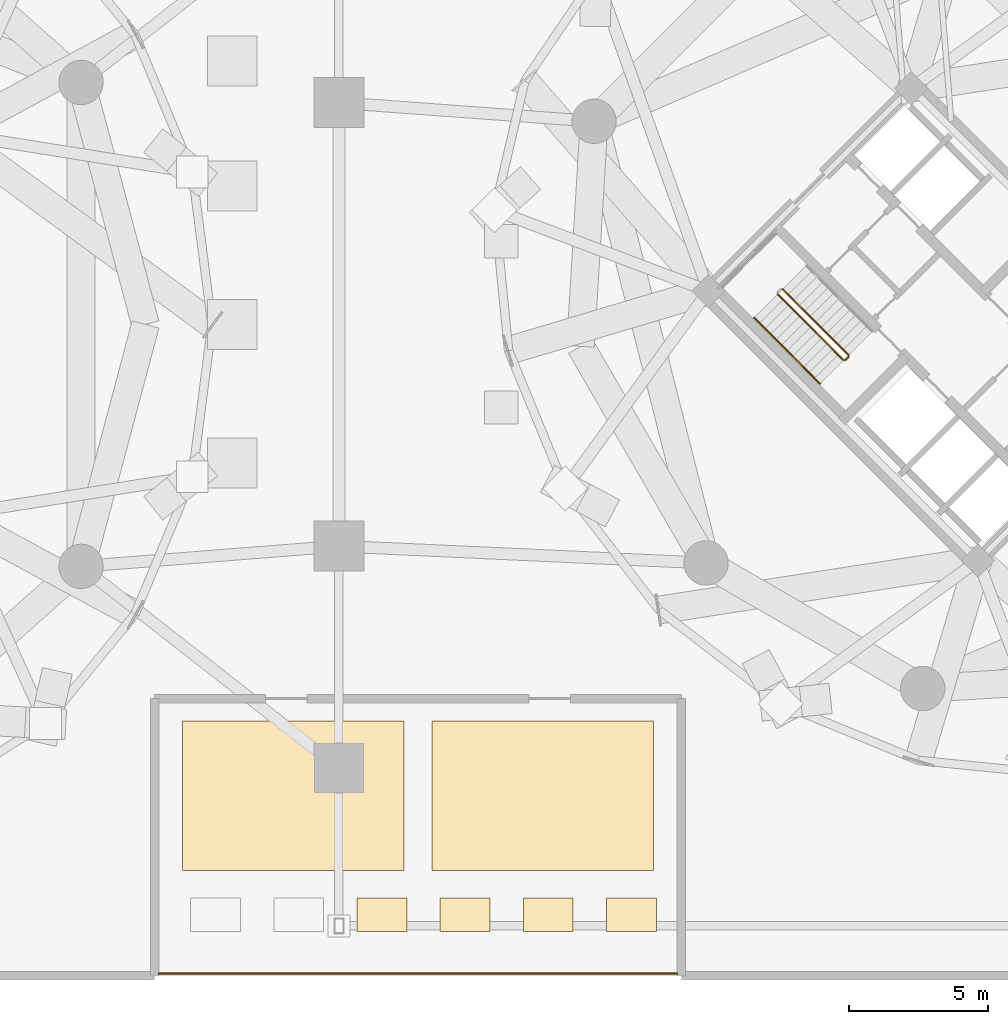
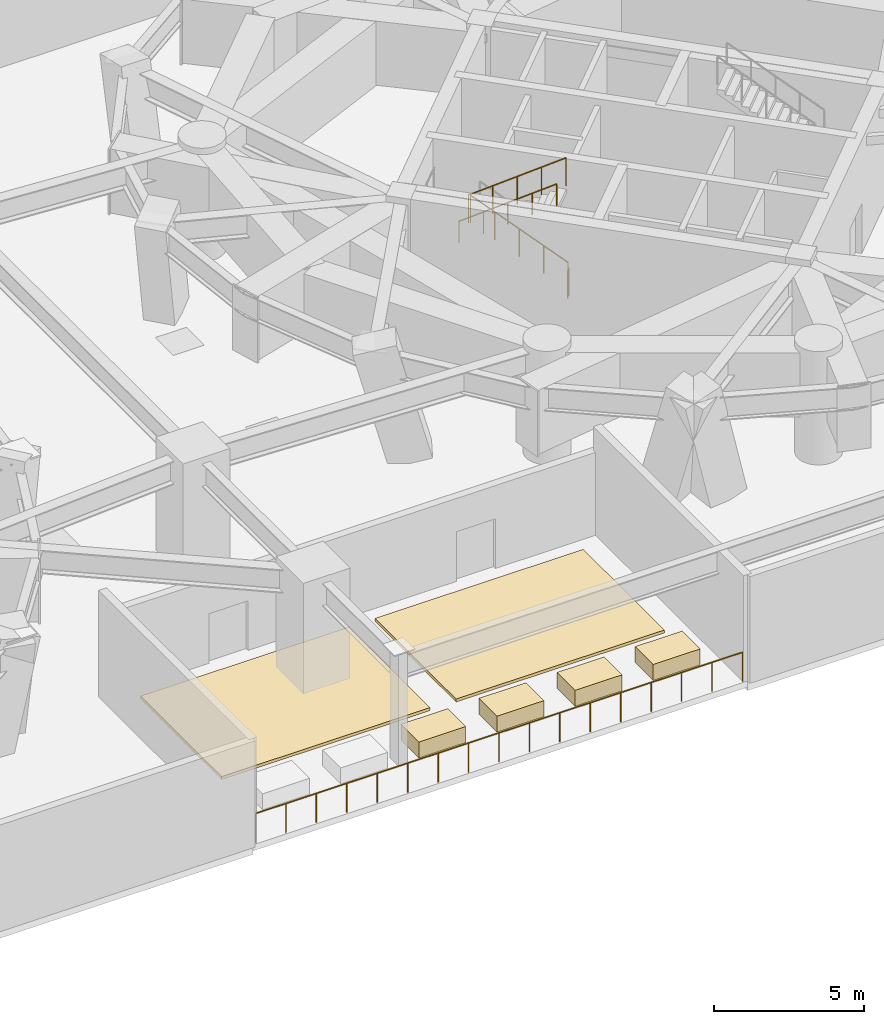
# One storey, part 23 of 25: 6 coverings, 5 railings.
"""IFC4 building model written with IfcOpenShell, lengths in metres."""

from ifc_helpers import new_model, si_unit, direction, frame, origin, origin_2d, place, context, subcontext, project, spatial, polyline, rectangle, circle, outline, extrude, source, transform, mapped, material, layer, layer_set, type_object, element, save


model = new_model("IFC4")

# Units and contexts
model_context = context("Model", 3, precision=1e-05, world=origin(), true_north=direction((0.0, 1.0)))
body_context = subcontext(model_context, "Body", "Model", "MODEL_VIEW")
ifc_project = project(units=[si_unit("LENGTHUNIT", "METRE"), si_unit("AREAUNIT", "SQUARE_METRE"), si_unit("VOLUMEUNIT", "CUBIC_METRE"), si_unit("PLANEANGLEUNIT", "RADIAN"), si_unit("MASSUNIT", "GRAM", prefix="KILO")], contexts=[model_context])

# Site, building, storey
site_placement = place(None, origin())
site = spatial("IfcSite", under=ifc_project, at=site_placement, CompositionType="ELEMENT")
building_placement = place(site_placement, origin())
building = spatial("IfcBuilding", under=site, at=building_placement, Name="Cununo Teusaquillo Station Towers", CompositionType="ELEMENT")
storey_placement = place(building_placement, frame((0.0, 0.0, 17.39990234375)))
storey = spatial("IfcBuildingStorey", under=building, at=storey_placement, Name="L04", CompositionType="ELEMENT", Elevation=17.39990234375)

# Coverings
ifc_material_1 = material(Name="Elastomeric waterproof membrane and rigid insulation", Category="finish")
ifc_layer_1 = layer(ifc_material_1, 0.1201171875)
ifc_layer_set_1 = layer_set([ifc_layer_1], Name="Elastomeric waterproof membrane and rigid insulation")
covering_type_1 = type_object("IfcCoveringType", Name="COV-ROOF-MEM", PredefinedType="ROOFING", material=ifc_layer_set_1)
covering_1_placement = place(storey_placement, origin())
element("IfcCovering", 1, at=covering_1_placement, inside=storey, type_object=covering_type_1, Name="L04 Terrace Waterproof Membrane 1", PredefinedType="ROOFING", context=body_context, shape_type="SweptSolid", body=[
    extrude(outline(polyline([(30.0, 4.800048828125), (38.0, 4.800048828125), (38.0, 10.199951171875), (30.0, 10.199951171875), (30.0, 4.800048828125)])), origin(), (0.0, 0.0, 1.0), 0.1201171875),
])
covering_2_placement = place(storey_placement, origin())
element("IfcCovering", 2, at=covering_2_placement, inside=storey, type_object=covering_type_1, Name="L04 Terrace Waterproof Membrane 2", PredefinedType="ROOFING", context=body_context, shape_type="SweptSolid", body=[
    extrude(outline(polyline([(39.0, 4.800048828125), (47.0, 4.800048828125), (47.0, 10.199951171875), (39.0, 10.199951171875), (39.0, 4.800048828125)])), origin(), (0.0, 0.0, 1.0), 0.1201171875),
])

# Railings
ifc_material_2 = material(Name="Anodised dark bronze aluminium EN AW-6063-T6", Category="aluminium")
railing_type_1 = type_object("IfcRailingType", Name="RL-EXT-BALUS", PredefinedType="BALUSTRADE", material=ifc_material_2)
railing_1_placement = place(storey_placement, frame((29.14990234375, 1.080078125, 0.0)))
element("IfcRailing", 3, at=railing_1_placement, inside=storey, type_object=railing_type_1, Name="L04 Podium Roof Terrace South Balustrade", PredefinedType="BALUSTRADE", context=body_context, shape_type="SweptSolid", body=[
    extrude(circle(Radius=0.02392578125, at=origin_2d()), frame((0.0, 0.0, 1.17578125), z_axis=(1.0, 0.0, 0.0), x_axis=(0.0, 1.0, 0.0)), (0.0, 0.0, 1.0), 18.7001953125),
    extrude(circle(Radius=0.02099609375, at=origin_2d()), origin(), (0.0, 0.0, 1.0), 1.15185546875),
    extrude(circle(Radius=0.02099609375, at=origin_2d()), frame((1.168701171875, 0.0, 0.0)), (0.0, 0.0, 1.0), 1.15185546875),
    extrude(circle(Radius=0.02099609375, at=origin_2d()), frame((2.33740234375, 0.0, 0.0)), (0.0, 0.0, 1.0), 1.15185546875),
    extrude(circle(Radius=0.02099609375, at=origin_2d()), frame((3.50634765625, 0.0, 0.0)), (0.0, 0.0, 1.0), 1.15185546875),
    extrude(circle(Radius=0.02099609375, at=origin_2d()), frame((4.675048828125, 0.0, 0.0)), (0.0, 0.0, 1.0), 1.15185546875),
    extrude(circle(Radius=0.02099609375, at=origin_2d()), frame((5.84375, 0.0, 0.0)), (0.0, 0.0, 1.0), 1.15185546875),
    extrude(circle(Radius=0.02099609375, at=origin_2d()), frame((7.0126953125, 0.0, 0.0)), (0.0, 0.0, 1.0), 1.15185546875),
    extrude(circle(Radius=0.02099609375, at=origin_2d()), frame((8.181396484375, 0.0, 0.0)), (0.0, 0.0, 1.0), 1.15185546875),
    extrude(circle(Radius=0.02099609375, at=origin_2d()), frame((9.35009765625, 0.0, 0.0)), (0.0, 0.0, 1.0), 1.15185546875),
    extrude(circle(Radius=0.02099609375, at=origin_2d()), frame((10.518798828125, 0.0, 0.0)), (0.0, 0.0, 1.0), 1.15185546875),
    extrude(circle(Radius=0.02099609375, at=origin_2d()), frame((11.6875, 0.0, 0.0)), (0.0, 0.0, 1.0), 1.15185546875),
    extrude(circle(Radius=0.02099609375, at=origin_2d()), frame((12.8564453125, 0.0, 0.0)), (0.0, 0.0, 1.0), 1.15185546875),
    extrude(circle(Radius=0.02099609375, at=origin_2d()), frame((14.025146484375, 0.0, 0.0)), (0.0, 0.0, 1.0), 1.15185546875),
    extrude(circle(Radius=0.02099609375, at=origin_2d()), frame((15.19384765625, 0.0, 0.0)), (0.0, 0.0, 1.0), 1.15185546875),
    extrude(circle(Radius=0.02099609375, at=origin_2d()), frame((16.36279296875, 0.0, 0.0)), (0.0, 0.0, 1.0), 1.15185546875),
    extrude(circle(Radius=0.02099609375, at=origin_2d()), frame((17.531494140625, 0.0, 0.0)), (0.0, 0.0, 1.0), 1.15185546875),
    extrude(circle(Radius=0.02099609375, at=origin_2d()), frame((18.7001953125, 0.0, 0.0)), (0.0, 0.0, 1.0), 1.15185546875),
])
ifc_material_3 = material(Name="Steel EN 10025-2 S355J2", Category="steel")
railing_type_2 = type_object("IfcRailingType", Name="RL-INT-GUARD", PredefinedType="GUARDRAIL", material=ifc_material_3)
railing_2_placement = place(storey_placement, frame((54.03515625, 23.39697265625, 0.177001953125)))
element("IfcRailing", 4, at=railing_2_placement, inside=storey, type_object=railing_type_2, Name="L04 ST-T2-1 stair guard 1", PredefinedType="GUARDRAIL", context=body_context, shape_type="SweptSolid", body=[
    extrude(circle(Radius=0.02392578125, at=origin_2d()), frame((0.0, 0.0, 1.1259765625), z_axis=(-0.597764783284, 0.597764783284, 0.534185855045), x_axis=(-0.707106781187, -0.707106781187, 0.0)), (0.0, 0.0, 1.0), 3.974365234375),
    extrude(circle(Radius=0.02099609375, at=origin_2d()), origin(), (0.0, 0.0, 1.0), 1.101806640625),
    extrude(circle(Radius=0.02099609375, at=origin_2d()), frame((-0.593994140625, 0.593994140625, 0.53076171875)), (0.0, 0.0, 1.0), 1.101806640625),
    extrude(circle(Radius=0.02099609375, at=origin_2d()), frame((-1.18798828125, 1.18798828125, 1.0615234375)), (0.0, 0.0, 1.0), 1.101806640625),
    extrude(circle(Radius=0.02099609375, at=origin_2d()), frame((-1.78173828125, 1.78173828125, 1.59228515625)), (0.0, 0.0, 1.0), 1.101806640625),
    extrude(circle(Radius=0.02099609375, at=origin_2d()), frame((-2.375732421875, 2.375732421875, 2.123046875)), (0.0, 0.0, 1.0), 1.101806640625),
])
railing_3_placement = place(storey_placement, frame((51.4755859375, 25.5888671875, 2.47705078125)))
element("IfcRailing", 5, at=railing_3_placement, inside=storey, type_object=railing_type_2, Name="L04 ST-T2-1 stair guard 4", PredefinedType="GUARDRAIL", context=body_context, shape_type="SweptSolid", body=[
    extrude(circle(Radius=0.02392578125, at=origin_2d()), frame((0.0, 0.0, 1.1259765625), z_axis=(0.597764783284, -0.597764783284, 0.534185855045), x_axis=(0.707106781187, 0.707106781187, 0.0)), (0.0, 0.0, 1.0), 3.974365234375),
    extrude(circle(Radius=0.02099609375, at=origin_2d()), origin(), (0.0, 0.0, 1.0), 1.101806640625),
    extrude(circle(Radius=0.02099609375, at=origin_2d()), frame((0.593994140625, -0.593994140625, 0.53076171875)), (0.0, 0.0, 1.0), 1.101806640625),
    extrude(circle(Radius=0.02099609375, at=origin_2d()), frame((1.18798828125, -1.18798828125, 1.0615234375)), (0.0, 0.0, 1.0), 1.101806640625),
    extrude(circle(Radius=0.02099609375, at=origin_2d()), frame((1.78173828125, -1.78173828125, 1.59228515625)), (0.0, 0.0, 1.0), 1.101806640625),
    extrude(circle(Radius=0.02099609375, at=origin_2d()), frame((2.375732421875, -2.375732421875, 2.123046875)), (0.0, 0.0, 1.0), 1.101806640625),
])
railing_4_placement = place(storey_placement, frame((54.03515625, 23.326171875, 0.0)))
element("IfcRailing", 6, at=railing_4_placement, inside=storey, type_object=railing_type_2, Name="L04 ST-T2-1 stair guard 5", PredefinedType="GUARDRAIL", context=body_context, shape_type="SweptSolid", body=[
    extrude(circle(Radius=0.02392578125, at=origin_2d()), frame((0.0, 0.0, 1.1259765625), z_axis=(-0.707106781187, -0.707106781187, 0.0), x_axis=(0.707106781187, -0.707106781187, 0.0)), (0.0, 0.0, 1.0), 0.159912109375),
    extrude(circle(Radius=0.02099609375, at=origin_2d()), origin(), (0.0, 0.0, 1.0), 1.101806640625),
    extrude(circle(Radius=0.02099609375, at=origin_2d()), frame((-0.113037109375, -0.113037109375, 0.0)), (0.0, 0.0, 1.0), 1.101806640625),
])
ifc_material_4 = material(Name="Steel EN 10025-2 S355J2", Category="steel")
railing_type_3 = type_object("IfcRailingType", Name="RL-INT-HRAIL", PredefinedType="HANDRAIL", material=ifc_material_4)
railing_5_placement = place(storey_placement, frame((50.626953125, 24.740478515625, 2.47705078125)))
element("IfcRailing", 7, at=railing_5_placement, inside=storey, type_object=railing_type_3, Name="L04 ST-T2-1 stair handrail 2", PredefinedType="HANDRAIL", context=body_context, shape_type="SweptSolid", body=[
    extrude(circle(Radius=0.02392578125, at=origin_2d()), frame((0.0, 0.0, 0.8759765625), z_axis=(0.597782310373, -0.597782310373, 0.534146626696), x_axis=(0.707106781187, 0.707106781187, 0.0)), (0.0, 0.0, 1.0), 3.974609375),
    extrude(circle(Radius=0.02099609375, at=origin_2d()), origin(), (0.0, 0.0, 1.0), 0.851806640625),
    extrude(circle(Radius=0.02099609375, at=origin_2d()), frame((0.593994140625, -0.593994140625, 0.53076171875)), (0.0, 0.0, 1.0), 0.851806640625),
    extrude(circle(Radius=0.02099609375, at=origin_2d()), frame((1.18798828125, -1.18798828125, 1.0615234375)), (0.0, 0.0, 1.0), 0.851806640625),
    extrude(circle(Radius=0.02099609375, at=origin_2d()), frame((1.781982421875, -1.781982421875, 1.59228515625)), (0.0, 0.0, 1.0), 0.851806640625),
    extrude(circle(Radius=0.02099609375, at=origin_2d()), frame((2.3759765625, -2.3759765625, 2.123046875)), (0.0, 0.0, 1.0), 0.851806640625),
])

# Coverings
ifc_material_5 = material(Name="Architectural GRC planter shell and engineered root-zone substrate", Category="concrete")
ifc_layer_2 = layer(ifc_material_5, 0.64990234375)
ifc_layer_set_2 = layer_set([ifc_layer_2], Name="Architectural GRC planter shell and engineered root-zone substrate")
covering_type_2 = type_object("IfcCoveringType", Name="COV-TREE-PLANTER", PredefinedType="CLADDING", material=ifc_layer_set_2)
shared_shape = source(origin(), body_context, "Body", "SweptSolid", [
    extrude(rectangle(XDim=1.800048828125, YDim=1.199951171875, at=origin_2d()), origin(), (0.0, 0.0, 1.0), 0.64990234375),
])
for number, where, z_axis, x_axis, name in (
    (8, (37.199951171875, 3.199951171875, 0.000244140625), (0.0, 0.0, 1.0), (1.0, 0.0, 0.0), "L04 Podium Terrace Tree PLANTER 3"),
    (9, (40.199951171875, 3.199951171875, 0.000244140625), (0.0, 0.0, 1.0), (1.0, 0.0, 0.0), "L04 Podium Terrace Tree PLANTER 4"),
    (10, (43.199951171875, 3.199951171875, 0.000244140625), (0.0, 0.0, 1.0), (1.0, 0.0, 0.0), "L04 Podium Terrace Tree PLANTER 5"),
    (11, (46.199951171875, 3.199951171875, 0.000244140625), (0.0, 0.0, 1.0), (1.0, 0.0, 0.0), "L04 Podium Terrace Tree PLANTER 6"),
):
    element("IfcCovering", number, at=place(storey_placement, frame(where, z_axis=z_axis, x_axis=x_axis)), inside=storey, type_object=covering_type_2, Name=name, PredefinedType="CLADDING", context=body_context, shape_type="MappedRepresentation", body=[
        mapped(shared_shape, transform((0.0, 0.0, 0.0), x_axis=(1.0, 0.0, 0.0), y_axis=(0.0, 1.0, 0.0), z_axis=(0.0, 0.0, 1.0), scale=1.0)),
    ])

save(model, "model.ifc")
